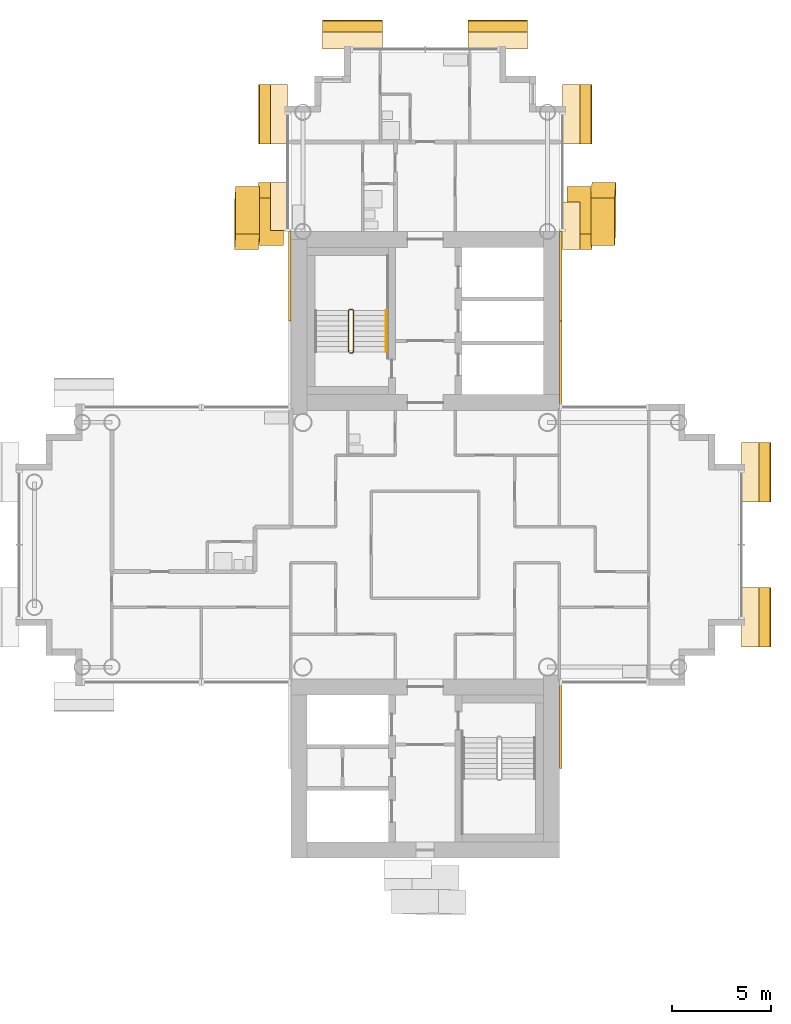
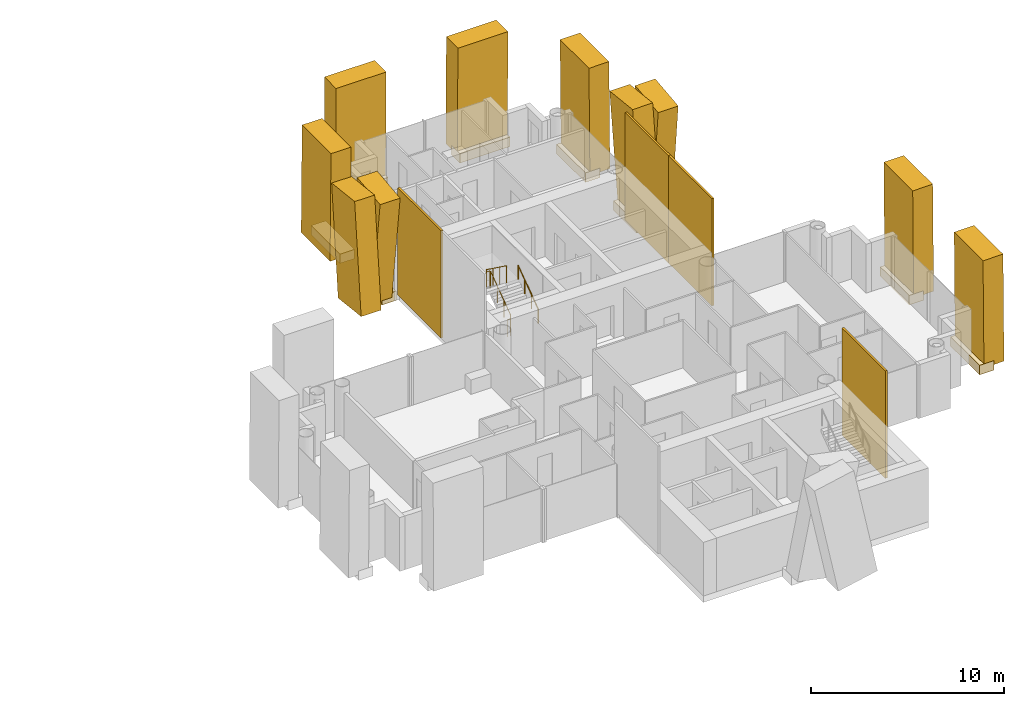
# One storey, part 17 of 18: 22 coverings, 2 railings.
"""IFC4 building model written with IfcOpenShell, lengths in metres."""

from ifc_helpers import new_model, si_unit, direction, frame, origin, origin_2d, place, context, subcontext, project, spatial, rectangle, circle, extrude, material, layer, layer_set, material_profile, profile_set, type_object, element, save


model = new_model("IFC4")

# Units and contexts
model_context = context("Model", 3, precision=1e-05, world=origin(), true_north=direction((0.0, 1.0)))
body_context = subcontext(model_context, "Body", "Model", "MODEL_VIEW")
ifc_project = project(units=[si_unit("LENGTHUNIT", "METRE"), si_unit("AREAUNIT", "SQUARE_METRE"), si_unit("VOLUMEUNIT", "CUBIC_METRE"), si_unit("PLANEANGLEUNIT", "RADIAN"), si_unit("MASSUNIT", "GRAM", prefix="KILO")], contexts=[model_context])

# Site, building, storey
site_placement = place(None, origin())
site = spatial("IfcSite", under=ifc_project, at=site_placement, CompositionType="ELEMENT")
building_placement = place(site_placement, origin())
building = spatial("IfcBuilding", under=site, at=building_placement, Name="Ipe Terrace Towers", CompositionType="ELEMENT")
storey_placement = place(building_placement, frame((0.0, 0.0, 150.699951171875)))
storey = spatial("IfcBuildingStorey", under=building, at=storey_placement, Name="L41", CompositionType="ELEMENT", Elevation=150.699951171875)

# Coverings
ifc_material_1 = material(Name="Concrete C50/60 precast, buff finish", Category="concrete")
ifc_layer = layer(ifc_material_1, 0.1201171875)
ifc_layer_set = layer_set([ifc_layer], Name="STONE CORE CLADDING 120")
covering_type_1 = type_object("IfcCoveringType", Name="STONE CORE CLADDING 120", PredefinedType="CLADDING", material=ifc_layer_set)
covering_1_placement = place(storey_placement, frame((29.18994140625, 13.5, 0.0), z_axis=(0.0, 0.0, 1.0), x_axis=(0.0, -1.0, 0.0)))
element("IfcCovering", 1, at=covering_1_placement, inside=storey, type_object=covering_type_1, Name="stone core cladding", PredefinedType="CLADDING", context=body_context, shape_type="SweptSolid", body=[
    extrude(rectangle(XDim=4.5009765625, YDim=0.1201171875, at=origin_2d()), origin(), (0.0, 0.0, 1.0), 6.800048828125),
])
for number, where, z_axis, x_axis, name in (
    (2, (42.81005859375, -9.0, 0.0), (0.0, 0.0, 1.0), (0.0, 1.0, 0.0), "stone core cladding"),
    (3, (42.81005859375, 9.0, 0.0), (0.0, 0.0, 1.0), (0.0, 1.0, 0.0), "stone core cladding"),
):
    element("IfcCovering", number, at=place(storey_placement, frame(where, z_axis=z_axis, x_axis=x_axis)), inside=storey, type_object=covering_type_1, Name=name, PredefinedType="CLADDING", context=body_context, shape_type="SweptSolid", body=[
        extrude(rectangle(XDim=4.5, YDim=0.1201171875, at=origin_2d()), origin(), (0.0, 0.0, 1.0), 6.800048828125),
    ])
covering_2_placement = place(storey_placement, frame((42.81005859375, 13.5, 0.0), z_axis=(0.0, 0.0, 1.0), x_axis=(0.0, 1.0, 0.0)))
element("IfcCovering", 4, at=covering_2_placement, inside=storey, type_object=covering_type_1, Name="stone core cladding", PredefinedType="CLADDING", context=body_context, shape_type="SweptSolid", body=[
    extrude(rectangle(XDim=4.5009765625, YDim=0.1201171875, at=origin_2d()), origin(), (0.0, 0.0, 1.0), 6.800048828125),
])
ifc_material_2 = material(Name="Concrete C50/60 precast, buff finish", Category="concrete")
ifc_material_profile_1 = material_profile(ifc_material_2, rectangle(XDim=2.39990234375, YDim=1.199951171875, at=origin_2d()), Name="STONE FIN 2400 x 1200")
ifc_profile_set_1 = profile_set([ifc_material_profile_1], Name="Concrete C50/60 precast, buff finish")
covering_type_2 = type_object("IfcCoveringType", Name="STONE FIN 2400 x 1200", PredefinedType="USERDEFINED", material=ifc_profile_set_1)
for number, where, z_axis, x_axis, name in (
    (5, (27.01708984375, 16.0400390625, 0.0), (0.0080266958, 0.112373741201, 0.993633591644), (0.000907739439, -0.993666011439, 0.112370074845), "stone fin"),
    (6, (28.217041015625, 17.010009765625, 0.0), (0.0080266958, -0.112373741201, 0.993633591644), (-0.000907739439, -0.993666011439, -0.112370074845), "stone fin"),
    (7, (43.782958984375, 16.0400390625, 0.0), (-0.0080266958, 0.112373741201, 0.993633591644), (0.000907739439, 0.993666011439, -0.112370074845), "stone fin"),
    (8, (44.98291015625, 17.010009765625, 0.0), (-0.0080266958, -0.112373741201, 0.993633591644), (-0.000907739439, 0.993666011439, 0.112370074845), "stone fin"),
):
    element("IfcCovering", number, at=place(storey_placement, frame(where, z_axis=z_axis, x_axis=x_axis)), inside=storey, type_object=covering_type_2, Name=name, ObjectType="FIN", PredefinedType="USERDEFINED", context=body_context, shape_type="SweptSolid", body=[
        extrude(rectangle(XDim=2.39990234375, YDim=1.199951171875, at=origin_2d()), origin(), (0.0, 0.0, 1.0), 6.843505859375),
    ])
ifc_material_3 = material(Name="Concrete C50/60 precast, buff finish", Category="concrete")
ifc_material_profile_2 = material_profile(ifc_material_3, rectangle(XDim=3.0, YDim=1.199951171875, at=origin_2d()), Name="STONE FIN CORNER 3000 x 1200")
ifc_profile_set_2 = profile_set([ifc_material_profile_2], Name="Concrete C50/60 precast, buff finish")
covering_type_3 = type_object("IfcCoveringType", Name="STONE FIN CORNER 3000 x 1200", PredefinedType="USERDEFINED", material=ifc_profile_set_2)
for number, where, z_axis, x_axis, name in (
    (9, (28.217041015625, 21.64990234375, 0.0), (0.008077860878, 0.0, 0.99996737355), (0.0, -1.0, 0.0), "stone fin"),
    (10, (32.35009765625, 25.782958984375, 0.0), (0.0, -0.008077860878, 0.99996737355), (-1.0, 0.0, 0.0), "stone fin"),
    (11, (39.64990234375, 25.782958984375, 0.0), (0.0, -0.008077860878, 0.99996737355), (-1.0, 0.0, 0.0), "stone fin"),
    (12, (43.782958984375, 21.64990234375, 0.0), (-0.008077860878, 0.0, 0.99996737355), (0.0, 1.0, 0.0), "stone fin"),
    (13, (52.782958984375, -3.64990234375, 0.0), (-0.008077860878, 0.0, 0.99996737355), (0.0, 1.0, 0.0), "stone fin"),
    (14, (52.782958984375, 3.64990234375, 0.0), (-0.008077860878, 0.0, 0.99996737355), (0.0, 1.0, 0.0), "stone fin"),
):
    element("IfcCovering", number, at=place(storey_placement, frame(where, z_axis=z_axis, x_axis=x_axis)), inside=storey, type_object=covering_type_3, Name=name, ObjectType="FIN", PredefinedType="USERDEFINED", context=body_context, shape_type="SweptSolid", body=[
        extrude(rectangle(XDim=3.0, YDim=1.199951171875, at=origin_2d()), origin(), (0.0, 0.0, 1.0), 6.80029296875),
    ])
ifc_material_4 = material(Name="Concrete C50/60 precast, buff finish", Category="concrete")
covering_type_4 = type_object("IfcCoveringType", Name="STONE FIN SHELF 2400 x 600", PredefinedType="CLADDING", material=ifc_material_4)
for number, where, z_axis, x_axis, name in (
    (15, (28.65087890625, 17.010009765625, -0.35009765625), (0.0, 0.0, 1.0), (0.0, -1.0, 0.0), "stone fin shelf"),
    (16, (43.34912109375, 16.0400390625, -0.35009765625), (0.0, 0.0, 1.0), (0.0, 1.0, 0.0), "stone fin shelf"),
):
    element("IfcCovering", number, at=place(storey_placement, frame(where, z_axis=z_axis, x_axis=x_axis)), inside=storey, type_object=covering_type_4, Name=name, PredefinedType="CLADDING", context=body_context, shape_type="SweptSolid", body=[
        extrude(rectangle(XDim=2.39990234375, YDim=0.866943359375, at=origin_2d()), origin(), (0.0, 0.0, 1.0), 0.60009765625),
    ])
ifc_material_5 = material(Name="Concrete C50/60 precast, buff finish", Category="concrete")
covering_type_5 = type_object("IfcCoveringType", Name="STONE FIN SHELF 3000 x 600", PredefinedType="CLADDING", material=ifc_material_5)
for number, where, z_axis, x_axis, name in (
    (17, (28.65087890625, 21.64990234375, -0.35009765625), (0.0, 0.0, 1.0), (0.0, -1.0, 0.0), "stone fin shelf"),
    (18, (32.35009765625, 25.34912109375, -0.35009765625), (0.0, 0.0, 1.0), (-1.0, 0.0, 0.0), "stone fin shelf"),
    (19, (39.64990234375, 25.34912109375, -0.35009765625), (0.0, 0.0, 1.0), (-1.0, 0.0, 0.0), "stone fin shelf"),
    (20, (43.34912109375, 21.64990234375, -0.35009765625), (0.0, 0.0, 1.0), (0.0, 1.0, 0.0), "stone fin shelf"),
    (21, (52.34912109375, -3.64990234375, -0.35009765625), (0.0, 0.0, 1.0), (0.0, 1.0, 0.0), "stone fin shelf"),
    (22, (52.34912109375, 3.64990234375, -0.35009765625), (0.0, 0.0, 1.0), (0.0, 1.0, 0.0), "stone fin shelf"),
):
    element("IfcCovering", number, at=place(storey_placement, frame(where, z_axis=z_axis, x_axis=x_axis)), inside=storey, type_object=covering_type_5, Name=name, PredefinedType="CLADDING", context=body_context, shape_type="SweptSolid", body=[
        extrude(rectangle(XDim=3.0, YDim=0.866943359375, at=origin_2d()), origin(), (0.0, 0.0, 1.0), 0.60009765625),
    ])

# Railings
ifc_material_6 = material(Name="Steel S355", Category="steel")
railing_type_1 = type_object("IfcRailingType", Name="Stair guard 1100", PredefinedType="GUARDRAIL", material=ifc_material_6)
railing_1_placement = place(storey_placement, frame((32.199951171875, 9.64990234375, 0.0)))
element("IfcRailing", 23, at=railing_1_placement, inside=storey, type_object=railing_type_1, Name="L41 T2-ST1 stair guard 1", PredefinedType="GUARDRAIL", context=body_context, shape_type="SweptSolid", body=[
    extrude(circle(Radius=0.02392578125, at=origin_2d()), frame((0.0, 0.0, 1.076171875), z_axis=(1.0, 0.0, 0.0), x_axis=(0.0, 1.0, 0.0)), (0.0, 0.0, 1.0), 0.150146484375),
    extrude(circle(Radius=0.02392578125, at=origin_2d()), frame((0.150146484375, 0.0, 1.076171875), z_axis=(0.246893586699, 0.248103849378, 0.936743314239), x_axis=(-0.708833529934, 0.705375805398, 0.0)), (0.0, 0.0, 1.0), 0.20166015625),
    extrude(circle(Radius=0.02392578125, at=origin_2d()), frame((0.199951171875, 0.050048828125, 1.26513671875), z_axis=(0.0, 0.809068575486, 0.587714250432), x_axis=(-1.0, 0.0, 0.0)), (0.0, 0.0, 1.0), 2.571044921875),
    extrude(circle(Radius=0.02392578125, at=origin_2d()), frame((0.199951171875, 2.130126953125, 2.77587890625), z_axis=(-0.705375805398, 0.708833529934, 0.0), x_axis=(-0.708833529934, -0.705375805398, 0.0)), (0.0, 0.0, 1.0), 0.070556640625),
    extrude(circle(Radius=0.02392578125, at=origin_2d()), frame((0.150146484375, 2.18017578125, 2.77587890625), z_axis=(-1.0, 0.0, 0.0), x_axis=(0.0, -1.0, 0.0)), (0.0, 0.0, 1.0), 0.150146484375),
    extrude(circle(Radius=0.02392578125, at=origin_2d()), frame((0.0, 2.18017578125, 2.77587890625), z_axis=(-0.248029566107, -0.248029566107, 0.936462849596), x_axis=(0.707106781187, -0.707106781187, 0.0)), (0.0, 0.0, 1.0), 0.201904296875),
    extrude(circle(Radius=0.02392578125, at=origin_2d()), frame((-0.050048828125, 2.130126953125, 2.96484375), z_axis=(0.0, -0.809023421508, 0.587776406001), x_axis=(1.0, 0.0, 0.0)), (0.0, 0.0, 1.0), 2.571044921875),
    extrude(circle(Radius=0.02099609375, at=origin_2d()), origin(), (0.0, 0.0, 1.0), 1.052001953125),
    extrude(circle(Radius=0.02099609375, at=origin_2d()), frame((0.150146484375, 0.0, 0.0)), (0.0, 0.0, 1.0), 1.052001953125),
    extrude(circle(Radius=0.02099609375, at=origin_2d()), frame((0.199951171875, 0.050048828125, 0.18896484375)), (0.0, 0.0, 1.0), 1.052001953125),
    extrude(circle(Radius=0.02099609375, at=origin_2d()), frame((0.199951171875, 0.743408203125, 0.692626953125)), (0.0, 0.0, 1.0), 1.052001953125),
    extrude(circle(Radius=0.02099609375, at=origin_2d()), frame((0.199951171875, 1.436767578125, 1.1962890625)), (0.0, 0.0, 1.0), 1.052001953125),
    extrude(circle(Radius=0.02099609375, at=origin_2d()), frame((0.199951171875, 2.130126953125, 1.699951171875)), (0.0, 0.0, 1.0), 1.052001953125),
    extrude(circle(Radius=0.02099609375, at=origin_2d()), frame((0.150146484375, 2.18017578125, 1.699951171875)), (0.0, 0.0, 1.0), 1.052001953125),
    extrude(circle(Radius=0.02099609375, at=origin_2d()), frame((0.0, 2.18017578125, 1.699951171875)), (0.0, 0.0, 1.0), 1.052001953125),
    extrude(circle(Radius=0.02099609375, at=origin_2d()), frame((-0.050048828125, 2.130126953125, 1.888916015625)), (0.0, 0.0, 1.0), 1.052001953125),
    extrude(circle(Radius=0.02099609375, at=origin_2d()), frame((-0.050048828125, 1.436767578125, 2.392578125)), (0.0, 0.0, 1.0), 1.052001953125),
    extrude(circle(Radius=0.02099609375, at=origin_2d()), frame((-0.050048828125, 0.743408203125, 2.896484375)), (0.0, 0.0, 1.0), 1.052001953125),
    extrude(circle(Radius=0.02099609375, at=origin_2d()), frame((-0.050048828125, 0.050048828125, 3.400146484375)), (0.0, 0.0, 1.0), 1.052001953125),
])
ifc_material_7 = material(Name="Stainless steel grade 304", Category="steel")
railing_type_2 = type_object("IfcRailingType", Name="Stair handrail 900", PredefinedType="HANDRAIL", material=ifc_material_7)
railing_2_placement = place(storey_placement, frame((34.050048828125, 9.699951171875, 0.18896484375)))
element("IfcRailing", 24, at=railing_2_placement, inside=storey, type_object=railing_type_2, Name="L41 T2-ST1 stair handrail 1", PredefinedType="HANDRAIL", context=body_context, shape_type="SweptSolid", body=[
    extrude(circle(Radius=0.02392578125, at=origin_2d()), frame((0.0, 0.0, 0.8759765625), z_axis=(0.0, 0.809068575486, 0.587714250432), x_axis=(-1.0, 0.0, 0.0)), (0.0, 0.0, 1.0), 2.571044921875),
    extrude(circle(Radius=0.02099609375, at=origin_2d()), origin(), (0.0, 0.0, 1.0), 0.851806640625),
    extrude(circle(Radius=0.02099609375, at=origin_2d()), frame((0.0, 0.693359375, 0.503662109375)), (0.0, 0.0, 1.0), 0.851806640625),
    extrude(circle(Radius=0.02099609375, at=origin_2d()), frame((0.0, 1.38671875, 1.00732421875)), (0.0, 0.0, 1.0), 0.851806640625),
    extrude(circle(Radius=0.02099609375, at=origin_2d()), frame((0.0, 2.080078125, 1.510986328125)), (0.0, 0.0, 1.0), 0.851806640625),
])

save(model, "model.ifc")
